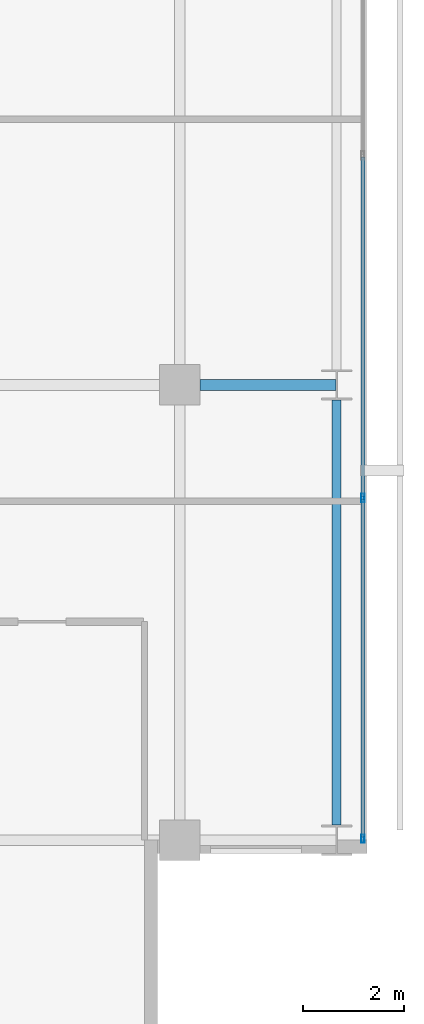
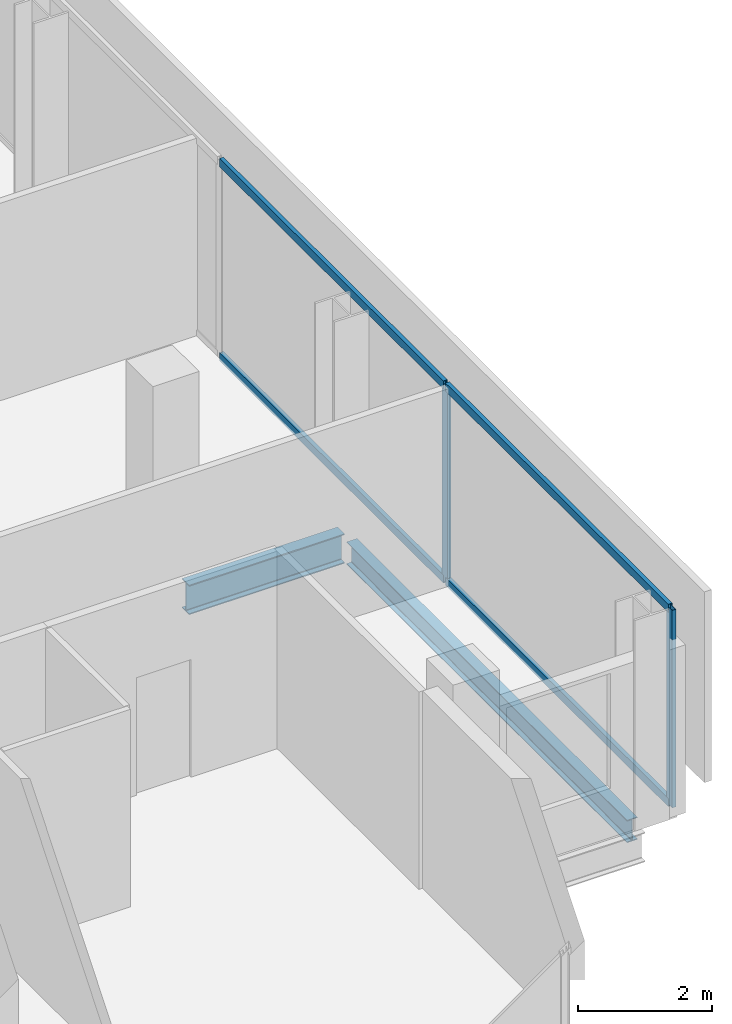
# One storey, part 15 of 33: 6 members, 2 beams, 1 element without a shape of its own.
"""IFC4 building model written with IfcOpenShell, lengths in metres."""

import ifcopenshell
import ifcopenshell.guid

model = None  # the IFC model being written
_history = None  # IfcOwnerHistory: only IFC2X3 demands one
_inside = {}  # id of a spatial element -> (the spatial element, [elements in it])
_under = {}  # id of a project, library or spatial element -> (it, [spatial elements below it])
_declared = {}  # id of a project -> (the project, [libraries it declares])
_typed = {}  # id of a type object -> (the type object, [elements of that type])
_made_of = {}  # id of a material, layer set ... -> (it, [elements and type objects made of it])


def new_model(schema):
    """Start an empty IFC model of exactly this schema.

    Asked for "IFC4X3", IfcOpenShell would pick the latest addendum, in which some entities
    have other attributes; the version numbers below select the first issue.
    IFC2X3 requires an IfcOwnerHistory on every rooted entity: one is made here for all.
    """
    global model, _history
    if schema == "IFC4X3":
        model = ifcopenshell.file(schema_version=(4, 3, 0, 0))
    else:
        model = ifcopenshell.file(schema=schema)
    _inside.clear()
    _under.clear()
    _declared.clear()
    _typed.clear()
    _made_of.clear()
    _history = None
    if model.schema == "IFC2X3":
        org = make("IfcOrganization", Name="unknown")
        user = make(
            "IfcPersonAndOrganization",
            ThePerson=make("IfcPerson", FamilyName="unknown"),
            TheOrganization=org,
        )
        app = make(
            "IfcApplication",
            ApplicationDeveloper=org,
            Version="unknown",
            ApplicationFullName="unknown",
            ApplicationIdentifier="unknown",
        )
        _history = make(
            "IfcOwnerHistory",
            OwningUser=user,
            OwningApplication=app,
            ChangeAction="ADDED",
            CreationDate=0,
        )
    return model


def make(cls, **values):
    """One entity of the class cls with the attributes given. An attribute that is None is left unset."""
    return model.create_entity(
        cls, **{name: value for name, value in values.items() if value is not None}
    )


def rooted(cls, **values):
    """An entity with a GlobalId (a new one), such as an element, a storey or a relation."""
    return make(cls, GlobalId=ifcopenshell.guid.new(), OwnerHistory=_history, **values)


def si_unit(unit_type, name, prefix=None):
    """IfcSIUnit, for example si_unit("LENGTHUNIT", "METRE", prefix="MILLI")."""
    return make("IfcSIUnit", UnitType=unit_type, Prefix=prefix, Name=name)


def assignment(units):
    """IfcUnitAssignment: the units of a project."""
    return None if units is None else make("IfcUnitAssignment", Units=units)


def point(xyz):
    """IfcCartesianPoint."""
    return None if xyz is None else make("IfcCartesianPoint", Coordinates=xyz)


def direction(xyz):
    """IfcDirection."""
    return None if xyz is None else make("IfcDirection", DirectionRatios=xyz)


def frame(location, z_axis=None, x_axis=None):
    """IfcAxis2Placement3D, a coordinate frame: its origin and axes. An axis left out is left unset."""
    return make(
        "IfcAxis2Placement3D",
        Location=point(location),
        Axis=direction(z_axis),
        RefDirection=direction(x_axis),
    )


def frame_2d(location, x_axis=None):
    """IfcAxis2Placement2D, a coordinate frame in the plane: its origin and x axis."""
    return make(
        "IfcAxis2Placement2D", Location=point(location), RefDirection=direction(x_axis)
    )


def origin():
    """The frame at (0, 0, 0) with its axes left unset."""
    return frame((0.0, 0.0, 0.0))


def origin_2d():
    """The frame at (0, 0) in the plane with its x axis left unset."""
    return frame_2d((0.0, 0.0))


def place(relative_to, where):
    """IfcLocalPlacement: puts the frame where relative to a parent placement (None: the world)."""
    return make(
        "IfcLocalPlacement", PlacementRelTo=relative_to, RelativePlacement=where
    )


def context(
    kind, dimensions, precision=None, world=None, true_north=None, identifier=None
):
    """IfcGeometricRepresentationContext, for example the 3D "Model" context."""
    return make(
        "IfcGeometricRepresentationContext",
        ContextIdentifier=identifier,
        ContextType=kind,
        CoordinateSpaceDimension=dimensions,
        Precision=precision,
        WorldCoordinateSystem=world,
        TrueNorth=true_north,
    )


def subcontext(parent, identifier, kind, view, scale=None):
    """IfcGeometricRepresentationSubContext, for example "Body" below "Model"."""
    return make(
        "IfcGeometricRepresentationSubContext",
        ContextIdentifier=identifier,
        ContextType=kind,
        ParentContext=parent,
        TargetScale=scale,
        TargetView=view,
    )


def project(units=None, contexts=None):
    """IfcProject with its units and contexts."""
    return rooted(
        "IfcProject",
        Name="project",
        RepresentationContexts=contexts,
        UnitsInContext=assignment(units),
    )


def spatial(cls, under=None, at=None, **own):
    """A site, building, storey or space (cls), placed at a placement, below another one or the project."""
    s = rooted(cls, ObjectPlacement=at, **own)
    if under is not None:
        _under.setdefault(under.id(), (under, []))[1].append(s)
    return s


def profile(cls, at=None, kind="AREA", **sizes):
    """A parametric profile (cls). Its sizes go by their IFC names, for example OverallWidth=200.0."""
    return make(cls, ProfileType=kind, Position=at, **sizes)


def hollow_rectangle(**sizes):
    """IfcRectangleHollowProfileDef."""
    return profile("IfcRectangleHollowProfileDef", **sizes)


def i_section(**sizes):
    """IfcIShapeProfileDef."""
    return profile("IfcIShapeProfileDef", **sizes)


def extrude(swept, where, along, depth):
    """IfcExtrudedAreaSolid: the profile swept, set in the frame where, extruded along a direction by depth."""
    return make(
        "IfcExtrudedAreaSolid",
        SweptArea=swept,
        Position=where,
        ExtrudedDirection=direction(along),
        Depth=depth,
    )


def shape(context_of_items, identifier, shape_type, items):
    """IfcShapeRepresentation: the items that make up one representation, for example the "Body"."""
    return make(
        "IfcShapeRepresentation",
        ContextOfItems=context_of_items,
        RepresentationIdentifier=identifier,
        RepresentationType=shape_type,
        Items=items,
    )


def material(Name=None, Category=None):
    """IfcMaterial."""
    return make("IfcMaterial", Name=Name, Category=Category)


def layer(
    of_material, thickness, ventilated=None, Name=None, Category=None, Priority=None
):
    """IfcMaterialLayer: one layer of a wall or slab, of a material (None: an air gap)."""
    return make(
        "IfcMaterialLayer",
        Material=of_material,
        LayerThickness=thickness,
        IsVentilated=ventilated,
        Name=Name,
        Category=Category,
        Priority=Priority,
    )


def layer_set(layers, Name=None):
    """IfcMaterialLayerSet."""
    return make("IfcMaterialLayerSet", MaterialLayers=layers, LayerSetName=Name)


def material_profile(
    of_material, cross_section, Name=None, Category=None, Priority=None
):
    """IfcMaterialProfile: a cross section and its material."""
    return make(
        "IfcMaterialProfile",
        Name=Name,
        Material=of_material,
        Profile=cross_section,
        Priority=Priority,
        Category=Category,
    )


def profile_set(profiles, Name=None, composite=None):
    """IfcMaterialProfileSet."""
    return make(
        "IfcMaterialProfileSet",
        Name=Name,
        MaterialProfiles=profiles,
        CompositeProfile=composite,
    )


def made_of(thing, what):
    """Note that an element or type object is made of a material, layer set ...; save() writes the relation."""
    if what is not None:
        _made_of.setdefault(what.id(), (what, []))[1].append(thing)
    return thing


def type_object(cls, material=None, **own):
    """A type object (cls), such as IfcWallType, which elements share."""
    return made_of(rooted(cls, **own), material)


def element(
    cls,
    number,
    at=None,
    inside=None,
    cuts=None,
    type_object=None,
    material=None,
    context=None,
    identifier="Body",
    shape_type=None,
    held_by="IfcProductDefinitionShape",
    body=None,
    shapes=None,
    **own,
):
    """One element of the class cls, such as IfcWall. Its Tag is "e" and its number.

    at: its placement. inside: the storey or other place that contains it. cuts: it is an
    opening in that element (IfcRelVoidsElement). A single representation is given by context,
    identifier, shape_type and body (its items); several are given by shapes. held_by: the class
    of the entity that holds the representations. save() writes the other relations.
    """
    e = rooted(cls, Tag="e%d" % number, ObjectPlacement=at, **own)
    if body is not None:
        shapes = [shape(context, identifier, shape_type, body)]
    if shapes is not None:
        e.Representation = make(held_by, Representations=shapes)
    if inside is not None:
        _inside.setdefault(inside.id(), (inside, []))[1].append(e)
    if cuts is not None:
        rooted(
            "IfcRelVoidsElement", RelatingBuildingElement=cuts, RelatedOpeningElement=e
        )
    if type_object is not None:
        _typed.setdefault(type_object.id(), (type_object, []))[1].append(e)
    return made_of(e, material)


def aggregate(whole, parts):
    """IfcRelAggregates: a whole, such as a stair, and the parts it consists of."""
    return rooted("IfcRelAggregates", RelatingObject=whole, RelatedObjects=parts)


def save(model, path):
    """Write the relations noted so far, then the file.

    IfcRelAggregates (storeys below a building ...), IfcRelContainedInSpatialStructure (elements
    in a storey), IfcRelDefinesByType, IfcRelAssociatesMaterial and IfcRelDeclares: one each for
    every whole, place, type object, material and project.
    """
    for whole, parts in _under.values():
        aggregate(whole, parts)
    for where, things in _inside.values():
        rooted(
            "IfcRelContainedInSpatialStructure",
            RelatedElements=things,
            RelatingStructure=where,
        )
    for kind, things in _typed.values():
        rooted("IfcRelDefinesByType", RelatedObjects=things, RelatingType=kind)
    for what, things in _made_of.values():
        rooted("IfcRelAssociatesMaterial", RelatedObjects=things, RelatingMaterial=what)
    for by, libraries in _declared.values():
        rooted("IfcRelDeclares", RelatingContext=by, RelatedDefinitions=libraries)
    model.write(path)


model = new_model("IFC4")

# Units and contexts
model_context = context("Model", 3, precision=1e-05, world=origin(), true_north=direction((0.0, 1.0)))
body_context = subcontext(model_context, "Body", "Model", "MODEL_VIEW")
ifc_project = project(units=[si_unit("LENGTHUNIT", "METRE"), si_unit("AREAUNIT", "SQUARE_METRE"), si_unit("VOLUMEUNIT", "CUBIC_METRE"), si_unit("PLANEANGLEUNIT", "RADIAN"), si_unit("MASSUNIT", "GRAM", prefix="KILO")], contexts=[model_context])

# Site, building, storey
site_placement = place(None, origin())
site = spatial("IfcSite", under=ifc_project, at=site_placement, CompositionType="ELEMENT")
building_placement = place(site_placement, origin())
building = spatial("IfcBuilding", under=site, at=building_placement, Name="Maruvema Waterfront Hotel and Observation Tower", CompositionType="ELEMENT")
storey_placement = place(building_placement, frame((0.0, 0.0, 196.699951171875)))
storey = spatial("IfcBuildingStorey", under=building, at=storey_placement, Name="L48", CompositionType="ELEMENT", Elevation=196.699951171875)

# Curtain wall, members
ifc_material_1 = material(Name="Anodised bronze aluminium and solar-control low-E IGU", Category="aluminium")
ifc_layer = layer(ifc_material_1, 0.159912109375, Name="Zone 2 Amber Inner Thermal Curtain Wall System CW-03")
ifc_layer_set = layer_set([ifc_layer], Name="Anodised bronze aluminium and solar-control low-E IGU")
curtain_wall_type = type_object("IfcCurtainWallType", Name="Zone 2 Amber Inner Thermal Curtain Wall System CW-03", PredefinedType="USERDEFINED", material=ifc_layer_set)
curtain_wall_placement = place(storey_placement, origin())
curtain_wall = element("IfcCurtainWall", 1, at=curtain_wall_placement, inside=storey, type_object=curtain_wall_type, Name="L48 Curtain Wall CW-L48-E", ObjectType="UNITISED CURTAIN WALL", PredefinedType="USERDEFINED")
ifc_material_2 = material(Name="Anodised architectural bronze aluminium", Category="aluminium")
ifc_material_profile_1 = material_profile(ifc_material_2, hollow_rectangle(XDim=0.070068359375, YDim=0.14990234375, WallThickness=0.00390625, at=origin_2d()), Name="ALU-T70x150")
ifc_profile_set_1 = profile_set([ifc_material_profile_1], Name="Anodised architectural bronze aluminium")
member_type_1 = type_object("IfcMemberType", Name="Curtain Wall Horizontal Transom ALU-T70x150", PredefinedType="USERDEFINED", material=ifc_profile_set_1)
member_1_placement = place(storey_placement, frame((62.419921875, 9.06005859375, 0.030029296875), z_axis=(0.0, 1.0, 0.0), x_axis=(-1.0, 0.0, 0.0)))
member_1 = element("IfcMember", 2, at=member_1_placement, type_object=member_type_1, Name="CW-03 transom 1.1", ObjectType="TRANSOM", PredefinedType="USERDEFINED", context=body_context, shape_type="SweptSolid", body=[
    extrude(hollow_rectangle(XDim=0.070068359375, YDim=0.14990234375, WallThickness=0.00390625, at=origin_2d()), origin(), (0.0, 0.0, 1.0), 6.676513671875),
])
member_2_placement = place(storey_placement, frame((62.419921875, 9.06005859375, 3.580078125), z_axis=(0.0, 1.0, 0.0), x_axis=(-1.0, 0.0, 0.0)))
member_2 = element("IfcMember", 3, at=member_2_placement, type_object=member_type_1, Name="CW-03 transom 1.2", ObjectType="TRANSOM", PredefinedType="USERDEFINED", context=body_context, shape_type="SweptSolid", body=[
    extrude(hollow_rectangle(XDim=0.070068359375, YDim=0.14990234375, WallThickness=0.00390625, at=origin_2d()), origin(), (0.0, 0.0, 1.0), 6.676513671875),
])
member_3_placement = place(storey_placement, frame((62.419921875, 15.796630859375, 0.030029296875), z_axis=(0.0, 1.0, 0.0), x_axis=(-1.0, 0.0, 0.0)))
member_3 = element("IfcMember", 4, at=member_3_placement, type_object=member_type_1, Name="CW-03 transom 2.1", ObjectType="TRANSOM", PredefinedType="USERDEFINED", context=body_context, shape_type="SweptSolid", body=[
    extrude(hollow_rectangle(XDim=0.070068359375, YDim=0.14990234375, WallThickness=0.00390625, at=origin_2d()), origin(), (0.0, 0.0, 1.0), 6.706787109375),
])
member_4_placement = place(storey_placement, frame((62.419921875, 15.796630859375, 3.580078125), z_axis=(0.0, 1.0, 0.0), x_axis=(-1.0, 0.0, 0.0)))
member_4 = element("IfcMember", 5, at=member_4_placement, type_object=member_type_1, Name="CW-03 transom 2.2", ObjectType="TRANSOM", PredefinedType="USERDEFINED", context=body_context, shape_type="SweptSolid", body=[
    extrude(hollow_rectangle(XDim=0.070068359375, YDim=0.14990234375, WallThickness=0.00390625, at=origin_2d()), origin(), (0.0, 0.0, 1.0), 6.706787109375),
])
ifc_material_3 = material(Name="Anodised architectural bronze aluminium", Category="aluminium")
ifc_material_profile_2 = material_profile(ifc_material_3, hollow_rectangle(XDim=0.06494140625, YDim=0.1650390625, WallThickness=0.00390625, at=origin_2d()), Name="ALU-M65x165")
ifc_profile_set_2 = profile_set([ifc_material_profile_2], Name="Anodised architectural bronze aluminium")
member_type_2 = type_object("IfcMemberType", Name="Curtain Wall Primary Mullion ALU-M65x165", PredefinedType="MULLION", material=ifc_profile_set_2)
member_5_placement = place(storey_placement, frame((62.419921875, 9.030029296875, 0.0), z_axis=(0.0, 0.0, 1.0), x_axis=(-1.0, 0.0, 0.0)))
member_5 = element("IfcMember", 6, at=member_5_placement, type_object=member_type_2, Name="CW-03 mullion 1", PredefinedType="MULLION", context=body_context, shape_type="SweptSolid", body=[
    extrude(hollow_rectangle(XDim=0.06494140625, YDim=0.1650390625, WallThickness=0.00390625, at=origin_2d()), origin(), (0.0, 0.0, 1.0), 3.610107421875),
])
member_6_placement = place(storey_placement, frame((62.419921875, 15.7666015625, 0.0), z_axis=(0.0, 0.0, 1.0), x_axis=(-1.0, 0.0, 0.0)))
member_6 = element("IfcMember", 7, at=member_6_placement, type_object=member_type_2, Name="CW-03 mullion 2", PredefinedType="MULLION", context=body_context, shape_type="SweptSolid", body=[
    extrude(hollow_rectangle(XDim=0.06494140625, YDim=0.1650390625, WallThickness=0.00390625, at=origin_2d()), origin(), (0.0, 0.0, 1.0), 3.610107421875),
])
aggregate(curtain_wall, [member_5, member_6, member_1, member_2, member_3, member_4])

# Beams
ifc_material_4 = material(Name="Steel ASTM A572 Grade 50", Category="steel")
ifc_material_profile_3 = material_profile(ifc_material_4, i_section(OverallWidth=0.178955078125, OverallDepth=0.409912109375, WebThickness=0.0087890625, FlangeThickness=0.014404296875, FilletRadius=0.014892578125, at=origin_2d()), Name="W410x67.0")
ifc_profile_set_3 = profile_set([ifc_material_profile_3], Name="Steel ASTM A572 Grade 50")
beam_type_1 = type_object("IfcBeamType", Name="Perimeter Spandrel Beam W410x67.0", PredefinedType="SPANDREL", material=ifc_profile_set_3)
beam_1_placement = place(storey_placement, frame((61.89990234375, 9.300048828125, -0.445068359375), z_axis=(0.0, 1.0, 0.0), x_axis=(-1.0, 0.0, 0.0)))
element("IfcBeam", 8, at=beam_1_placement, inside=storey, type_object=beam_type_1, Name="L48 Floor Girder NS-29", PredefinedType="SPANDREL", context=body_context, shape_type="SweptSolid", body=[
    extrude(i_section(OverallWidth=0.178955078125, OverallDepth=0.409912109375, WebThickness=0.0087890625, FlangeThickness=0.014404296875, FilletRadius=0.014892578125, at=origin_2d()), origin(), (0.0, 0.0, 1.0), 8.39990234375),
])
ifc_material_5 = material(Name="Steel ASTM A572 Grade 50", Category="steel")
ifc_material_profile_4 = material_profile(ifc_material_5, i_section(OverallWidth=0.2109375, OverallDepth=0.5390625, WebThickness=0.01171875, FlangeThickness=0.018798828125, FilletRadius=0.014892578125, at=origin_2d()), Name="W530x109.0")
ifc_profile_set_4 = profile_set([ifc_material_profile_4], Name="Steel ASTM A572 Grade 50")
beam_type_2 = type_object("IfcBeamType", Name="Primary Floor Girder W530x109.0", PredefinedType="BEAM", material=ifc_profile_set_4)
beam_2_placement = place(storey_placement, frame((59.199951171875, 18.0, -0.509521484375), z_axis=(1.0, 0.0, 0.0), x_axis=(0.0, 1.0, 0.0)))
element("IfcBeam", 9, at=beam_2_placement, inside=storey, type_object=beam_type_2, Name="L48 Floor Girder EW-17", PredefinedType="BEAM", context=body_context, shape_type="SweptSolid", body=[
    extrude(i_section(OverallWidth=0.2109375, OverallDepth=0.5390625, WebThickness=0.01171875, FlangeThickness=0.018798828125, FilletRadius=0.014892578125, at=origin_2d()), origin(), (0.0, 0.0, 1.0), 2.6875),
])

save(model, "model.ifc")
